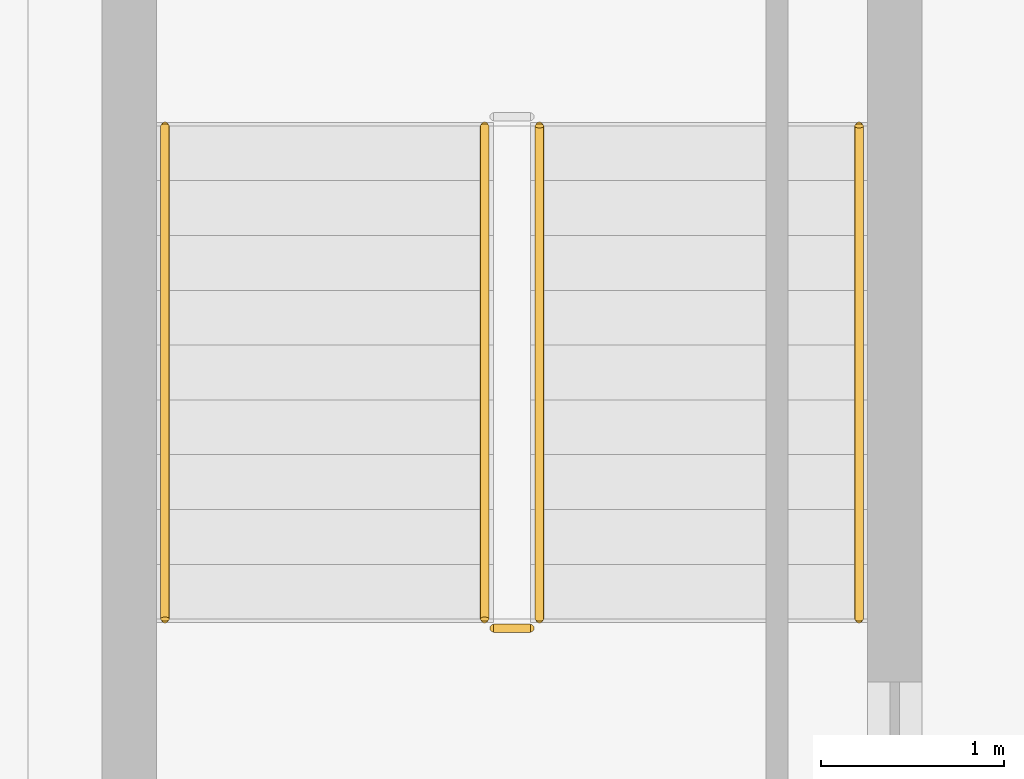
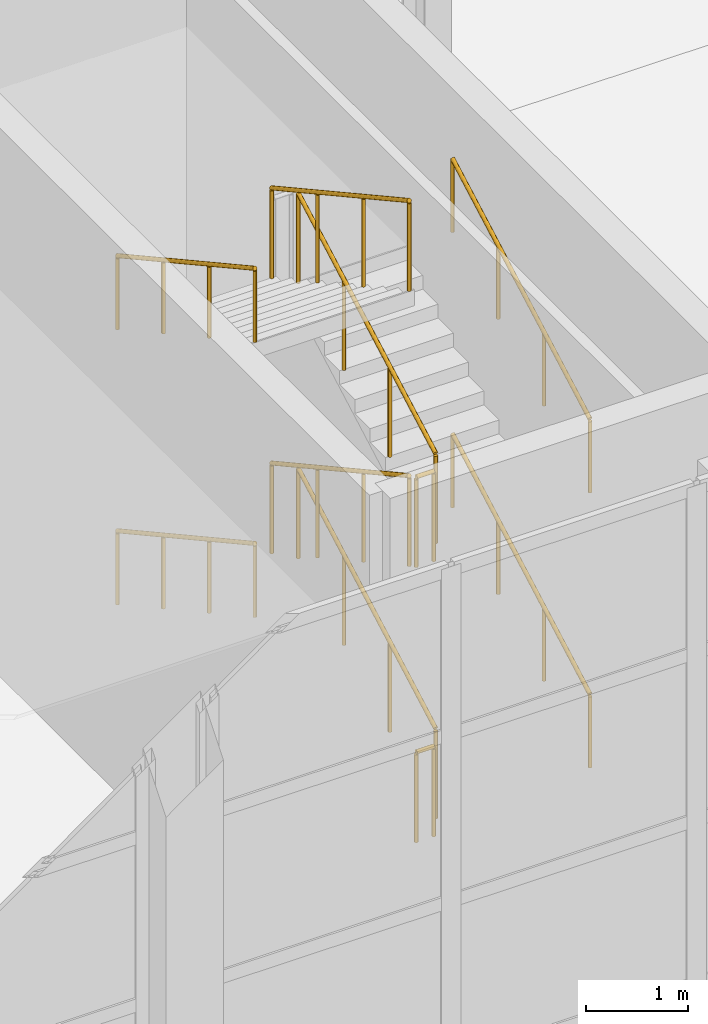
# One storey, part 104 of 115: 10 railings.
"""IFC4 building model written with IfcOpenShell, lengths in metres."""

from ifc_helpers import new_model, si_unit, direction, frame, origin, origin_2d, place, context, subcontext, project, spatial, circle, extrude, material, type_object, element, save


model = new_model("IFC4")

# Units and contexts
model_context = context("Model", 3, precision=1e-05, world=origin(), true_north=direction((0.0, 1.0)))
body_context = subcontext(model_context, "Body", "Model", "MODEL_VIEW")
ifc_project = project(units=[si_unit("LENGTHUNIT", "METRE"), si_unit("AREAUNIT", "SQUARE_METRE"), si_unit("VOLUMEUNIT", "CUBIC_METRE"), si_unit("PLANEANGLEUNIT", "RADIAN"), si_unit("MASSUNIT", "GRAM", prefix="KILO")], contexts=[model_context])

# Site, building, storey
site_placement = place(None, origin())
site = spatial("IfcSite", under=ifc_project, at=site_placement, CompositionType="ELEMENT")
building_placement = place(site_placement, origin())
building = spatial("IfcBuilding", under=site, at=building_placement, Name="Tamarisk Ironworks Central Station", CompositionType="ELEMENT")
storey_placement = place(building_placement, origin())
storey = spatial("IfcBuildingStorey", under=building, at=storey_placement, Name="L00", CompositionType="ELEMENT", Elevation=0.0)

# Railings
ifc_material = material(Name="Brushed stainless steel AISI 316", Category="steel")
railing_type_1 = type_object("IfcRailingType", Name="RL-GUARD-INT", PredefinedType="BALUSTRADE", material=ifc_material)
railing_1_placement = place(storey_placement, frame((14.0, 93.699951171875, 0.1650390625)))
element("IfcRailing", 1, at=railing_1_placement, inside=storey, type_object=railing_type_1, Name="L00 ST-C6 stair guard 1", PredefinedType="BALUSTRADE", context=body_context, shape_type="SweptSolid", body=[
    extrude(circle(Radius=0.02392578125, at=origin_2d()), frame((0.0, 0.0, 1.076171875), z_axis=(0.0, 0.876230963923, 0.481891375584), x_axis=(-1.0, 0.0, 0.0)), (0.0, 0.0, 1.0), 3.081298828125),
    extrude(circle(Radius=0.02099609375, at=origin_2d()), origin(), (0.0, 0.0, 1.0), 1.052001953125),
    extrude(circle(Radius=0.02099609375, at=origin_2d()), frame((0.0, 0.89990234375, 0.494873046875)), (0.0, 0.0, 1.0), 1.052001953125),
    extrude(circle(Radius=0.02099609375, at=origin_2d()), frame((0.0, 1.800048828125, 0.989990234375)), (0.0, 0.0, 1.0), 1.052001953125),
    extrude(circle(Radius=0.02099609375, at=origin_2d()), frame((0.0, 2.699951171875, 1.48486328125)), (0.0, 0.0, 1.0), 1.052001953125),
])
railing_2_placement = place(storey_placement, frame((13.699951171875, 96.39990234375, 1.81494140625)))
element("IfcRailing", 2, at=railing_2_placement, inside=storey, type_object=railing_type_1, Name="L00 ST-C6 stair guard 3", PredefinedType="BALUSTRADE", context=body_context, shape_type="SweptSolid", body=[
    extrude(circle(Radius=0.02392578125, at=origin_2d()), frame((0.0, 0.0, 1.076171875), z_axis=(0.0, -0.876197507361, 0.481952205197), x_axis=(1.0, 0.0, 0.0)), (0.0, 0.0, 1.0), 3.08154296875),
    extrude(circle(Radius=0.02099609375, at=origin_2d()), origin(), (0.0, 0.0, 1.0), 1.052001953125),
    extrude(circle(Radius=0.02099609375, at=origin_2d()), frame((0.0, -0.89990234375, 0.4951171875)), (0.0, 0.0, 1.0), 1.052001953125),
    extrude(circle(Radius=0.02099609375, at=origin_2d()), frame((0.0, -1.800048828125, 0.989990234375)), (0.0, 0.0, 1.0), 1.052001953125),
    extrude(circle(Radius=0.02099609375, at=origin_2d()), frame((0.0, -2.699951171875, 1.485107421875)), (0.0, 0.0, 1.0), 1.052001953125),
])
railing_3_placement = place(storey_placement, frame((13.949951171875, 93.64990234375, 3.300048828125)))
element("IfcRailing", 3, at=railing_3_placement, inside=storey, type_object=railing_type_1, Name="L00 ST-C6 stair guard 4", PredefinedType="BALUSTRADE", context=body_context, shape_type="SweptSolid", body=[
    extrude(circle(Radius=0.02392578125, at=origin_2d()), frame((0.0, 0.0, 1.076171875), z_axis=(-1.0, 0.0, 0.0), x_axis=(0.0, -1.0, 0.0)), (0.0, 0.0, 1.0), 0.199951171875),
    extrude(circle(Radius=0.02099609375, at=origin_2d()), origin(), (0.0, 0.0, 1.0), 1.052001953125),
    extrude(circle(Radius=0.02099609375, at=origin_2d()), frame((-0.199951171875, 0.0, 0.0)), (0.0, 0.0, 1.0), 1.052001953125),
])
railing_4_placement = place(storey_placement, frame((14.0, 93.699951171875, 3.465087890625)))
element("IfcRailing", 4, at=railing_4_placement, inside=storey, type_object=railing_type_1, Name="L00 ST-C6 stair guard 5", PredefinedType="BALUSTRADE", context=body_context, shape_type="SweptSolid", body=[
    extrude(circle(Radius=0.02392578125, at=origin_2d()), frame((0.0, 0.0, 1.076171875), z_axis=(0.0, 0.876230963923, 0.481891375584), x_axis=(-1.0, 0.0, 0.0)), (0.0, 0.0, 1.0), 3.081298828125),
    extrude(circle(Radius=0.02099609375, at=origin_2d()), origin(), (0.0, 0.0, 1.0), 1.052001953125),
    extrude(circle(Radius=0.02099609375, at=origin_2d()), frame((0.0, 0.89990234375, 0.494873046875)), (0.0, 0.0, 1.0), 1.052001953125),
    extrude(circle(Radius=0.02099609375, at=origin_2d()), frame((0.0, 1.800048828125, 0.989990234375)), (0.0, 0.0, 1.0), 1.052001953125),
    extrude(circle(Radius=0.02099609375, at=origin_2d()), frame((0.0, 2.699951171875, 1.48486328125)), (0.0, 0.0, 1.0), 1.052001953125),
])
railing_5_placement = place(storey_placement, frame((13.699951171875, 96.39990234375, 5.114990234375)))
element("IfcRailing", 5, at=railing_5_placement, inside=storey, type_object=railing_type_1, Name="L00 ST-C6 stair guard 7", PredefinedType="BALUSTRADE", context=body_context, shape_type="SweptSolid", body=[
    extrude(circle(Radius=0.02392578125, at=origin_2d()), frame((0.0, 0.0, 1.076171875), z_axis=(0.0, -0.876197507361, 0.481952205197), x_axis=(1.0, 0.0, 0.0)), (0.0, 0.0, 1.0), 3.08154296875),
    extrude(circle(Radius=0.02099609375, at=origin_2d()), origin(), (0.0, 0.0, 1.0), 1.052001953125),
    extrude(circle(Radius=0.02099609375, at=origin_2d()), frame((0.0, -0.89990234375, 0.4951171875)), (0.0, 0.0, 1.0), 1.052001953125),
    extrude(circle(Radius=0.02099609375, at=origin_2d()), frame((0.0, -1.800048828125, 0.989990234375)), (0.0, 0.0, 1.0), 1.052001953125),
    extrude(circle(Radius=0.02099609375, at=origin_2d()), frame((0.0, -2.699951171875, 1.485107421875)), (0.0, 0.0, 1.0), 1.052001953125),
])
railing_6_placement = place(storey_placement, frame((13.949951171875, 93.64990234375, 0.0)))
element("IfcRailing", 6, at=railing_6_placement, inside=storey, type_object=railing_type_1, Name="L00 ST-C6 stair guard 8", PredefinedType="BALUSTRADE", context=body_context, shape_type="SweptSolid", body=[
    extrude(circle(Radius=0.02392578125, at=origin_2d()), frame((0.0, 0.0, 1.076171875), z_axis=(-1.0, 0.0, 0.0), x_axis=(0.0, -1.0, 0.0)), (0.0, 0.0, 1.0), 0.199951171875),
    extrude(circle(Radius=0.02099609375, at=origin_2d()), origin(), (0.0, 0.0, 1.0), 1.052001953125),
    extrude(circle(Radius=0.02099609375, at=origin_2d()), frame((-0.199951171875, 0.0, 0.0)), (0.0, 0.0, 1.0), 1.052001953125),
])
railing_type_2 = type_object("IfcRailingType", Name="RL-HAND", PredefinedType="HANDRAIL", material=ifc_material)
railing_7_placement = place(storey_placement, frame((15.75, 93.699951171875, 0.1650390625)))
element("IfcRailing", 7, at=railing_7_placement, inside=storey, type_object=railing_type_2, Name="L00 ST-C6 stair handrail 1", PredefinedType="HANDRAIL", context=body_context, shape_type="SweptSolid", body=[
    extrude(circle(Radius=0.02392578125, at=origin_2d()), frame((0.0, 0.0, 0.8759765625), z_axis=(0.0, 0.876230963923, 0.481891375584), x_axis=(-1.0, 0.0, 0.0)), (0.0, 0.0, 1.0), 3.081298828125),
    extrude(circle(Radius=0.02099609375, at=origin_2d()), origin(), (0.0, 0.0, 1.0), 0.851806640625),
    extrude(circle(Radius=0.02099609375, at=origin_2d()), frame((0.0, 0.89990234375, 0.494873046875)), (0.0, 0.0, 1.0), 0.851806640625),
    extrude(circle(Radius=0.02099609375, at=origin_2d()), frame((0.0, 1.800048828125, 0.989990234375)), (0.0, 0.0, 1.0), 0.851806640625),
    extrude(circle(Radius=0.02099609375, at=origin_2d()), frame((0.0, 2.699951171875, 1.48486328125)), (0.0, 0.0, 1.0), 0.851806640625),
])
railing_8_placement = place(storey_placement, frame((11.949951171875, 96.39990234375, 1.81494140625)))
element("IfcRailing", 8, at=railing_8_placement, inside=storey, type_object=railing_type_2, Name="L00 ST-C6 stair handrail 2", PredefinedType="HANDRAIL", context=body_context, shape_type="SweptSolid", body=[
    extrude(circle(Radius=0.02392578125, at=origin_2d()), frame((0.0, 0.0, 0.8759765625), z_axis=(0.0, -0.876197507361, 0.481952205197), x_axis=(1.0, 0.0, 0.0)), (0.0, 0.0, 1.0), 3.08154296875),
    extrude(circle(Radius=0.02099609375, at=origin_2d()), origin(), (0.0, 0.0, 1.0), 0.851806640625),
    extrude(circle(Radius=0.02099609375, at=origin_2d()), frame((0.0, -0.89990234375, 0.4951171875)), (0.0, 0.0, 1.0), 0.851806640625),
    extrude(circle(Radius=0.02099609375, at=origin_2d()), frame((0.0, -1.800048828125, 0.989990234375)), (0.0, 0.0, 1.0), 0.851806640625),
    extrude(circle(Radius=0.02099609375, at=origin_2d()), frame((0.0, -2.699951171875, 1.485107421875)), (0.0, 0.0, 1.0), 0.851806640625),
])
railing_9_placement = place(storey_placement, frame((15.75, 93.699951171875, 3.465087890625)))
element("IfcRailing", 9, at=railing_9_placement, inside=storey, type_object=railing_type_2, Name="L00 ST-C6 stair handrail 3", PredefinedType="HANDRAIL", context=body_context, shape_type="SweptSolid", body=[
    extrude(circle(Radius=0.02392578125, at=origin_2d()), frame((0.0, 0.0, 0.8759765625), z_axis=(0.0, 0.876230963923, 0.481891375584), x_axis=(-1.0, 0.0, 0.0)), (0.0, 0.0, 1.0), 3.081298828125),
    extrude(circle(Radius=0.02099609375, at=origin_2d()), origin(), (0.0, 0.0, 1.0), 0.851806640625),
    extrude(circle(Radius=0.02099609375, at=origin_2d()), frame((0.0, 0.89990234375, 0.494873046875)), (0.0, 0.0, 1.0), 0.851806640625),
    extrude(circle(Radius=0.02099609375, at=origin_2d()), frame((0.0, 1.800048828125, 0.989990234375)), (0.0, 0.0, 1.0), 0.851806640625),
    extrude(circle(Radius=0.02099609375, at=origin_2d()), frame((0.0, 2.699951171875, 1.48486328125)), (0.0, 0.0, 1.0), 0.851806640625),
])
railing_10_placement = place(storey_placement, frame((11.949951171875, 96.39990234375, 5.114990234375)))
element("IfcRailing", 10, at=railing_10_placement, inside=storey, type_object=railing_type_2, Name="L00 ST-C6 stair handrail 4", PredefinedType="HANDRAIL", context=body_context, shape_type="SweptSolid", body=[
    extrude(circle(Radius=0.02392578125, at=origin_2d()), frame((0.0, 0.0, 0.8759765625), z_axis=(0.0, -0.876197507361, 0.481952205197), x_axis=(1.0, 0.0, 0.0)), (0.0, 0.0, 1.0), 3.08154296875),
    extrude(circle(Radius=0.02099609375, at=origin_2d()), origin(), (0.0, 0.0, 1.0), 0.851806640625),
    extrude(circle(Radius=0.02099609375, at=origin_2d()), frame((0.0, -0.89990234375, 0.4951171875)), (0.0, 0.0, 1.0), 0.851806640625),
    extrude(circle(Radius=0.02099609375, at=origin_2d()), frame((0.0, -1.800048828125, 0.989990234375)), (0.0, 0.0, 1.0), 0.851806640625),
    extrude(circle(Radius=0.02099609375, at=origin_2d()), frame((0.0, -2.699951171875, 1.485107421875)), (0.0, 0.0, 1.0), 0.851806640625),
])

save(model, "model.ifc")
